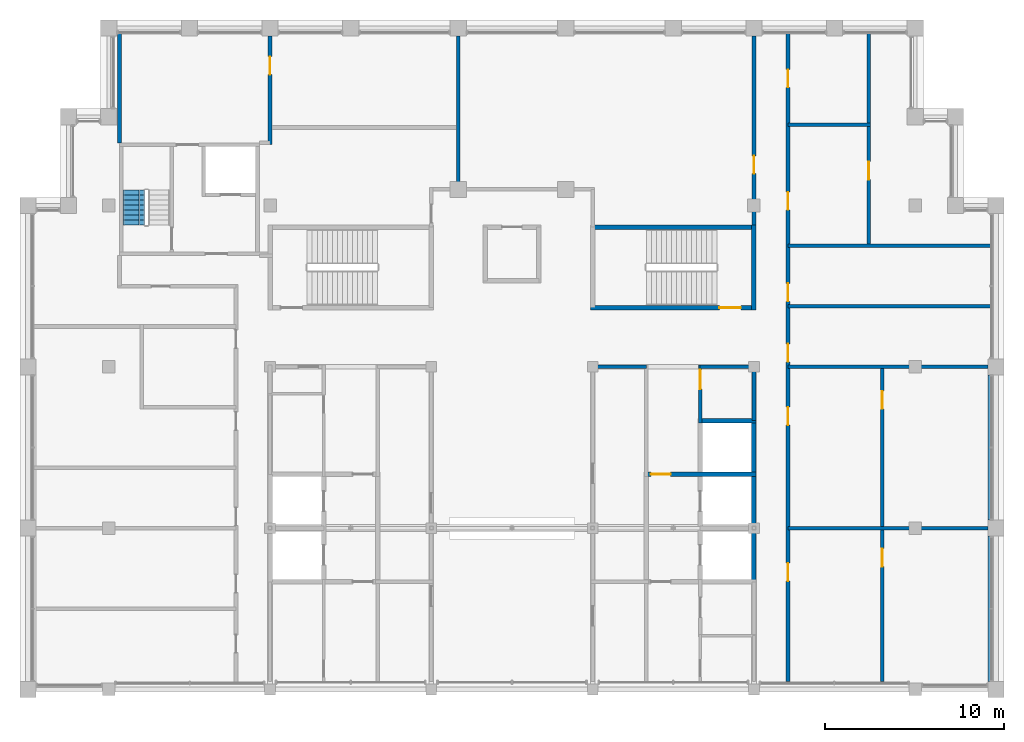
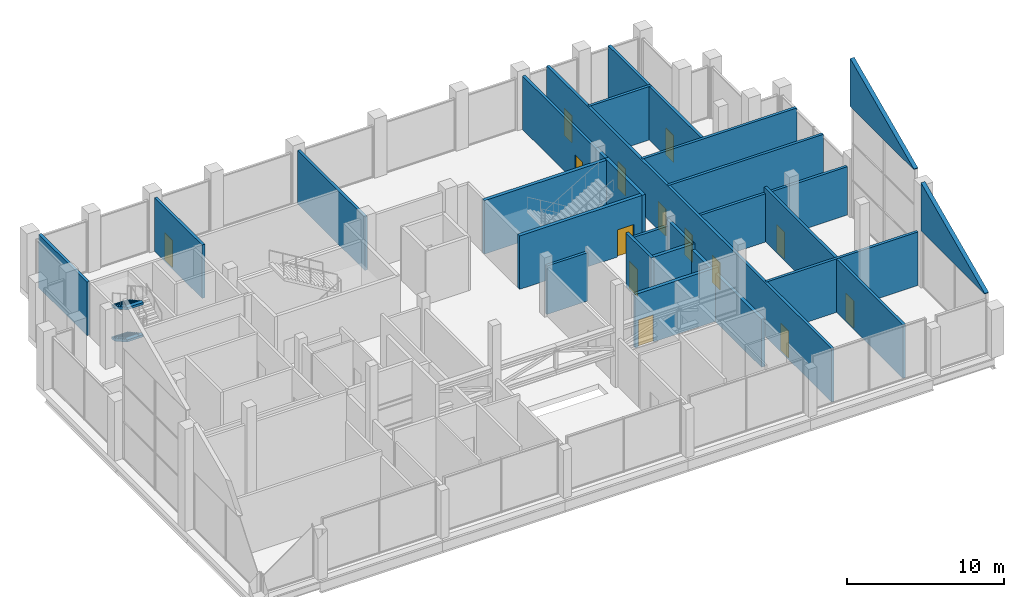
# One storey, part 12 of 14: 24 walls, 14 doors, 2 stair flights, 14 openings, 1 element without a shape of its own.
"""IFC4 building model written with IfcOpenShell, lengths in metres."""

from ifc_helpers import new_model, si_unit, direction, frame, frame_2d, origin, place, context, subcontext, project, spatial, polyline, rectangle, outline, extrude, material, layer, layer_set, type_object, element, fill, aggregate, save


model = new_model("IFC4")

# Units and contexts
model_context = context("Model", 3, precision=1e-05, world=origin(), true_north=direction((0.0, 1.0)))
body_context = subcontext(model_context, "Body", "Model", "MODEL_VIEW")
ifc_project = project(units=[si_unit("LENGTHUNIT", "METRE"), si_unit("AREAUNIT", "SQUARE_METRE"), si_unit("VOLUMEUNIT", "CUBIC_METRE"), si_unit("PLANEANGLEUNIT", "RADIAN"), si_unit("MASSUNIT", "GRAM", prefix="KILO")], contexts=[model_context])

# Site, building, storey
site_placement = place(None, origin())
site = spatial("IfcSite", under=ifc_project, at=site_placement, CompositionType="ELEMENT")
building_placement = place(site_placement, origin())
building = spatial("IfcBuilding", under=site, at=building_placement, Name="Corbelhall Arena Tower", CompositionType="ELEMENT")
storey_placement = place(building_placement, frame((0.0, 0.0, 376.0)))
storey = spatial("IfcBuildingStorey", under=building, at=storey_placement, Name="L81", CompositionType="ELEMENT", Elevation=376.0)

# Walls
ifc_material_1 = material(Name="Precast concrete C40/50 with granite facing", Category="masonry")
ifc_layer_1 = layer(ifc_material_1, 0.300048828125)
ifc_layer_set_1 = layer_set([ifc_layer_1], Name="EV-IW3 Parapet 300")
wall_type_1 = type_object("IfcWallType", Name="EV-IW3 Parapet 300", PredefinedType="SOLIDWALL", material=ifc_layer_set_1)
wall_1_placement = place(storey_placement, frame((26.699951171875, -8.550048828125, 4.439453125), z_axis=(0.0, 0.0, 1.0), x_axis=(0.0, 1.0, 0.0)))
element("IfcWall", 1, at=wall_1_placement, inside=storey, type_object=wall_type_1, Name="Infill panel IW3", PredefinedType="SOLIDWALL", context=body_context, shape_type="SweptSolid", body=[
    extrude(outline(polyline([(0.0, 0.0), (8.10009765625, 0.0), (8.10009765625, 3.7275390625), (0.0, 0.050048828125), (0.0, 0.0)])), frame((0.0, 0.14990234375, 0.0), z_axis=(0.0, -1.0, 0.0), x_axis=(1.0, 0.0, 0.0)), (0.0, 0.0, 1.0), 0.300048828125),
])
wall_2_placement = place(storey_placement, frame((26.699951171875, 0.449951171875, 8.633056640625), z_axis=(0.0, 0.0, 1.0), x_axis=(0.0, 1.0, 0.0)))
element("IfcWall", 2, at=wall_2_placement, inside=storey, type_object=wall_type_1, Name="Infill panel IW3A", PredefinedType="SOLIDWALL", context=body_context, shape_type="SweptSolid", body=[
    extrude(outline(polyline([(0.0, 0.0), (8.10009765625, 0.0), (8.10009765625, 3.7275390625), (0.0, 0.0498046875), (0.0, 0.0)])), frame((0.0, 0.14990234375, 0.0), z_axis=(0.0, -1.0, 0.0), x_axis=(1.0, 0.0, 0.0)), (0.0, 0.0, 1.0), 0.300048828125),
])
ifc_material_2 = material(Name="Gypsum board on steel stud, acoustic", Category="steel")
ifc_layer_2 = layer(ifc_material_2, 0.199951171875)
ifc_layer_set_2 = layer_set([ifc_layer_2], Name="IN-W-DM200")
wall_type_2 = type_object("IfcWallType", Name="IN-W-DM200", PredefinedType="PARTITIONING", material=ifc_layer_set_2)
wall_3_placement = place(storey_placement, frame((-21.89990234375, 21.5, 0.0), z_axis=(0.0, 0.0, 1.0), x_axis=(0.0, 1.0, 0.0)))
element("IfcWall", 3, at=wall_3_placement, inside=storey, type_object=wall_type_2, Name="Partition 005", PredefinedType="PARTITIONING", context=body_context, shape_type="SweptSolid", body=[
    extrude(rectangle(XDim=6.135986328125, YDim=0.199951171875, at=frame_2d((3.06787109375, 0.0))), origin(), (0.0, 0.0, 1.0), 4.149658203125),
])

# Wall, opening, door
wall_4_placement = place(storey_placement, frame((-13.5, 27.449951171875, 0.0), z_axis=(0.0, 0.0, 1.0), x_axis=(0.0, -1.0, 0.0)))
wall_4 = element("IfcWall", 4, at=wall_4_placement, inside=storey, type_object=wall_type_2, Name="Partition 014", PredefinedType="PARTITIONING", context=body_context, shape_type="SweptSolid", body=[
    extrude(rectangle(XDim=6.050048828125, YDim=0.199951171875, at=frame_2d((3.02490234375, 0.0))), origin(), (0.0, 0.0, 1.0), 4.149658203125),
])
opening_1_placement = place(wall_4_placement, frame((1.14990234375, 0.0, 0.0)))
opening_1 = element("IfcOpeningElement", 5, at=opening_1_placement, cuts=wall_4, Name="Opening 35018", PredefinedType="OPENING", context=body_context, shape_type="SweptSolid", body=[
    extrude(rectangle(XDim=1.0, YDim=2.10009765625, at=frame_2d((0.5, 1.050048828125))), frame((0.0, 0.10009765625, 0.0), z_axis=(0.0, -1.0, 0.0), x_axis=(1.0, 0.0, 0.0)), (0.0, 0.0, 1.0), 0.199951171875),
])
ifc_material_3 = material(Name="Steel door set", Category="steel")
door_type_1 = type_object("IfcDoorType", Name="IN-D-SW100", OperationType="NOTDEFINED", PredefinedType="DOOR", material=ifc_material_3)
door_1_placement = place(opening_1_placement, origin())
door_1 = element("IfcDoor", 6, at=door_1_placement, inside=storey, type_object=door_type_1, Name="Door 018", OperationType="SINGLE_SWING_LEFT", OverallHeight=2.10009765625, OverallWidth=1.0, PredefinedType="DOOR", context=body_context, shape_type="SweptSolid", body=[
    extrude(rectangle(XDim=1.0, YDim=2.10009765625, at=frame_2d((0.5, 1.050048828125))), frame((0.0, 0.02490234375, 0.0), z_axis=(0.0, -1.0, 0.0), x_axis=(1.0, 0.0, 0.0)), (0.0, 0.0, 1.0), 0.050048828125),
])
fill(opening_1, door_1)

# Wall
wall_5_placement = place(storey_placement, frame((-3.0, 27.449951171875, 0.0), z_axis=(0.0, 0.0, 1.0), x_axis=(0.0, -1.0, 0.0)))
element("IfcWall", 7, at=wall_5_placement, inside=storey, type_object=wall_type_2, Name="Partition 017", PredefinedType="PARTITIONING", context=body_context, shape_type="SweptSolid", body=[
    extrude(rectangle(XDim=8.550048828125, YDim=0.199951171875, at=frame_2d((4.27490234375, 0.0))), origin(), (0.0, 0.0, 1.0), 4.149658203125),
])

# Wall, opening, door
wall_6_placement = place(storey_placement, frame((13.5, 16.675048828125, 0.0), z_axis=(0.0, 0.0, 1.0), x_axis=(0.0, 1.0, 0.0)))
wall_6 = element("IfcWall", 8, at=wall_6_placement, inside=storey, type_object=wall_type_2, Name="Partition 019", PredefinedType="PARTITIONING", context=body_context, shape_type="SweptSolid", body=[
    extrude(rectangle(XDim=10.77490234375, YDim=0.199951171875, at=frame_2d((5.387451171875, 0.0))), origin(), (0.0, 0.0, 1.0), 4.149658203125),
])
opening_2_placement = place(wall_6_placement, frame((3.10009765625, 0.0, 0.0)))
opening_2 = element("IfcOpeningElement", 9, at=opening_2_placement, cuts=wall_6, Name="Opening 35019", PredefinedType="OPENING", context=body_context, shape_type="SweptSolid", body=[
    extrude(rectangle(XDim=1.0, YDim=2.10009765625, at=frame_2d((0.5, 1.050048828125))), frame((0.0, 0.10009765625, 0.0), z_axis=(0.0, -1.0, 0.0), x_axis=(1.0, 0.0, 0.0)), (0.0, 0.0, 1.0), 0.199951171875),
])
door_2_placement = place(opening_2_placement, origin())
door_2 = element("IfcDoor", 10, at=door_2_placement, inside=storey, type_object=door_type_1, Name="Door 019", OperationType="SINGLE_SWING_RIGHT", OverallHeight=2.10009765625, OverallWidth=1.0, PredefinedType="DOOR", context=body_context, shape_type="SweptSolid", body=[
    extrude(rectangle(XDim=1.0, YDim=2.10009765625, at=frame_2d((0.5, 1.050048828125))), frame((0.0, 0.02490234375, 0.0), z_axis=(0.0, -1.0, 0.0), x_axis=(1.0, 0.0, 0.0)), (0.0, 0.0, 1.0), 0.050048828125),
])
fill(opening_2, door_2)

# Wall, openings, doors
wall_7_placement = place(storey_placement, frame((15.39990234375, 27.635986328125, 0.0), z_axis=(0.0, 0.0, 1.0), x_axis=(0.0, -1.0, 0.0)))
wall_7 = element("IfcWall", 11, at=wall_7_placement, inside=storey, type_object=wall_type_2, Name="Partition 020", PredefinedType="PARTITIONING", context=body_context, shape_type="SweptSolid", body=[
    extrude(rectangle(XDim=36.18603515625, YDim=0.199951171875, at=frame_2d((18.093017578125, 0.0))), origin(), (0.0, 0.0, 1.0), 4.149658203125),
])
opening_3_placement = place(wall_7_placement, frame((20.885986328125, 0.0, 0.0)))
opening_3 = element("IfcOpeningElement", 12, at=opening_3_placement, cuts=wall_7, Name="Opening 35026", PredefinedType="OPENING", context=body_context, shape_type="SweptSolid", body=[
    extrude(rectangle(XDim=1.0, YDim=2.10009765625, at=frame_2d((0.5, 1.050048828125))), frame((0.0, 0.10009765625, 0.0), z_axis=(0.0, -1.0, 0.0), x_axis=(1.0, 0.0, 0.0)), (0.0, 0.0, 1.0), 0.199951171875),
])
opening_4_placement = place(wall_7_placement, frame((17.361083984375, 0.0, 0.0)))
opening_4 = element("IfcOpeningElement", 13, at=opening_4_placement, cuts=wall_7, Name="Opening 35028", PredefinedType="OPENING", context=body_context, shape_type="SweptSolid", body=[
    extrude(rectangle(XDim=1.0, YDim=2.10009765625, at=frame_2d((0.5, 1.050048828125))), frame((0.0, 0.10009765625, 0.0), z_axis=(0.0, -1.0, 0.0), x_axis=(1.0, 0.0, 0.0)), (0.0, 0.0, 1.0), 0.199951171875),
])
opening_5_placement = place(wall_7_placement, frame((13.986083984375, 0.0, 0.0)))
opening_5 = element("IfcOpeningElement", 14, at=opening_5_placement, cuts=wall_7, Name="Opening 35029", PredefinedType="OPENING", context=body_context, shape_type="SweptSolid", body=[
    extrude(rectangle(XDim=1.0, YDim=2.10009765625, at=frame_2d((0.5, 1.050048828125))), frame((0.0, 0.10009765625, 0.0), z_axis=(0.0, -1.0, 0.0), x_axis=(1.0, 0.0, 0.0)), (0.0, 0.0, 1.0), 0.199951171875),
])
opening_6_placement = place(wall_7_placement, frame((8.885986328125, 0.0, 0.0)))
opening_6 = element("IfcOpeningElement", 15, at=opening_6_placement, cuts=wall_7, Name="Opening 35030", PredefinedType="OPENING", context=body_context, shape_type="SweptSolid", body=[
    extrude(rectangle(XDim=1.0, YDim=2.10009765625, at=frame_2d((0.5, 1.050048828125))), frame((0.0, 0.10009765625, 0.0), z_axis=(0.0, -1.0, 0.0), x_axis=(1.0, 0.0, 0.0)), (0.0, 0.0, 1.0), 0.199951171875),
])
opening_7_placement = place(wall_7_placement, frame((2.050048828125, 0.0, 0.0)))
opening_7 = element("IfcOpeningElement", 16, at=opening_7_placement, cuts=wall_7, Name="Opening 35031", PredefinedType="OPENING", context=body_context, shape_type="SweptSolid", body=[
    extrude(rectangle(XDim=1.0, YDim=2.10009765625, at=frame_2d((0.5, 1.050048828125))), frame((0.0, 0.10009765625, 0.0), z_axis=(0.0, -1.0, 0.0), x_axis=(1.0, 0.0, 0.0)), (0.0, 0.0, 1.0), 0.199951171875),
])
opening_8_placement = place(wall_7_placement, frame((29.5859375, 0.0, 0.0)))
opening_8 = element("IfcOpeningElement", 17, at=opening_8_placement, cuts=wall_7, Name="Opening 35033", PredefinedType="OPENING", context=body_context, shape_type="SweptSolid", body=[
    extrude(rectangle(XDim=1.0, YDim=2.10009765625, at=frame_2d((0.5, 1.050048828125))), frame((0.0, 0.10009765625, 0.0), z_axis=(0.0, -1.0, 0.0), x_axis=(1.0, 0.0, 0.0)), (0.0, 0.0, 1.0), 0.199951171875),
])
door_3_placement = place(opening_3_placement, origin())
door_3 = element("IfcDoor", 18, at=door_3_placement, inside=storey, type_object=door_type_1, Name="Door 026", OperationType="SINGLE_SWING_LEFT", OverallHeight=2.10009765625, OverallWidth=1.0, PredefinedType="DOOR", context=body_context, shape_type="SweptSolid", body=[
    extrude(rectangle(XDim=1.0, YDim=2.10009765625, at=frame_2d((0.5, 1.050048828125))), frame((0.0, 0.02490234375, 0.0), z_axis=(0.0, -1.0, 0.0), x_axis=(1.0, 0.0, 0.0)), (0.0, 0.0, 1.0), 0.050048828125),
])
fill(opening_3, door_3)
door_4_placement = place(opening_4_placement, origin())
door_4 = element("IfcDoor", 19, at=door_4_placement, inside=storey, type_object=door_type_1, Name="Door 028", OperationType="SINGLE_SWING_LEFT", OverallHeight=2.10009765625, OverallWidth=1.0, PredefinedType="DOOR", context=body_context, shape_type="SweptSolid", body=[
    extrude(rectangle(XDim=1.0, YDim=2.10009765625, at=frame_2d((0.5, 1.050048828125))), frame((0.0, 0.02490234375, 0.0), z_axis=(0.0, -1.0, 0.0), x_axis=(1.0, 0.0, 0.0)), (0.0, 0.0, 1.0), 0.050048828125),
])
fill(opening_4, door_4)
door_5_placement = place(opening_5_placement, origin())
door_5 = element("IfcDoor", 20, at=door_5_placement, inside=storey, type_object=door_type_1, Name="Door 029", OperationType="SINGLE_SWING_RIGHT", OverallHeight=2.10009765625, OverallWidth=1.0, PredefinedType="DOOR", context=body_context, shape_type="SweptSolid", body=[
    extrude(rectangle(XDim=1.0, YDim=2.10009765625, at=frame_2d((0.5, 1.050048828125))), frame((0.0, 0.02490234375, 0.0), z_axis=(0.0, -1.0, 0.0), x_axis=(1.0, 0.0, 0.0)), (0.0, 0.0, 1.0), 0.050048828125),
])
fill(opening_5, door_5)
door_6_placement = place(opening_6_placement, origin())
door_6 = element("IfcDoor", 21, at=door_6_placement, inside=storey, type_object=door_type_1, Name="Door 030", OperationType="SINGLE_SWING_LEFT", OverallHeight=2.10009765625, OverallWidth=1.0, PredefinedType="DOOR", context=body_context, shape_type="SweptSolid", body=[
    extrude(rectangle(XDim=1.0, YDim=2.10009765625, at=frame_2d((0.5, 1.050048828125))), frame((0.0, 0.02490234375, 0.0), z_axis=(0.0, -1.0, 0.0), x_axis=(1.0, 0.0, 0.0)), (0.0, 0.0, 1.0), 0.050048828125),
])
fill(opening_6, door_6)
door_7_placement = place(opening_7_placement, origin())
door_7 = element("IfcDoor", 22, at=door_7_placement, inside=storey, type_object=door_type_1, Name="Door 031", OperationType="SINGLE_SWING_RIGHT", OverallHeight=2.10009765625, OverallWidth=1.0, PredefinedType="DOOR", context=body_context, shape_type="SweptSolid", body=[
    extrude(rectangle(XDim=1.0, YDim=2.10009765625, at=frame_2d((0.5, 1.050048828125))), frame((0.0, 0.02490234375, 0.0), z_axis=(0.0, -1.0, 0.0), x_axis=(1.0, 0.0, 0.0)), (0.0, 0.0, 1.0), 0.050048828125),
])
fill(opening_7, door_7)
door_8_placement = place(opening_8_placement, origin())
door_8 = element("IfcDoor", 23, at=door_8_placement, inside=storey, type_object=door_type_1, Name="Door 033", OperationType="SINGLE_SWING_RIGHT", OverallHeight=2.10009765625, OverallWidth=1.0, PredefinedType="DOOR", context=body_context, shape_type="SweptSolid", body=[
    extrude(rectangle(XDim=1.0, YDim=2.10009765625, at=frame_2d((0.5, 1.050048828125))), frame((0.0, 0.02490234375, 0.0), z_axis=(0.0, -1.0, 0.0), x_axis=(1.0, 0.0, 0.0)), (0.0, 0.0, 1.0), 0.050048828125),
])
fill(opening_8, door_8)

# Walls
for number, where, z_axis, x_axis, name in (
    (24, (15.39990234375, 12.375, 0.0), (0.0, 0.0, 1.0), (1.0, 0.0, 0.0), "Partition 022"),
    (25, (15.39990234375, 15.75, 0.0), (0.0, 0.0, 1.0), (1.0, 0.0, 0.0), "Partition 023"),
):
    element("IfcWall", number, at=place(storey_placement, frame(where, z_axis=z_axis, x_axis=x_axis)), inside=storey, type_object=wall_type_2, Name=name, PredefinedType="PARTITIONING", context=body_context, shape_type="SweptSolid", body=[
        extrude(rectangle(XDim=11.336181640625, YDim=0.199951171875, at=frame_2d((5.66796875, 0.0))), origin(), (0.0, 0.0, 1.0), 4.149658203125),
    ])
wall_8_placement = place(storey_placement, frame((15.39990234375, 22.5, 0.0), z_axis=(0.0, 0.0, 1.0), x_axis=(1.0, 0.0, 0.0)))
element("IfcWall", 26, at=wall_8_placement, inside=storey, type_object=wall_type_2, Name="Partition 024", PredefinedType="PARTITIONING", context=body_context, shape_type="SweptSolid", body=[
    extrude(rectangle(XDim=4.60009765625, YDim=0.199951171875, at=frame_2d((2.300048828125, 0.0))), origin(), (0.0, 0.0, 1.0), 4.149658203125),
])

# Wall, opening, door
wall_9_placement = place(storey_placement, frame((19.89990234375, 27.635986328125, 0.0), z_axis=(0.0, 0.0, 1.0), x_axis=(0.0, -1.0, 0.0)))
wall_9 = element("IfcWall", 27, at=wall_9_placement, inside=storey, type_object=wall_type_2, Name="Partition 025", PredefinedType="PARTITIONING", context=body_context, shape_type="SweptSolid", body=[
    extrude(rectangle(XDim=11.885986328125, YDim=0.199951171875, at=frame_2d((5.94287109375, 0.0))), origin(), (0.0, 0.0, 1.0), 4.149658203125),
])
opening_9_placement = place(wall_9_placement, frame((7.18603515625, 0.0, 0.0)))
opening_9 = element("IfcOpeningElement", 28, at=opening_9_placement, cuts=wall_9, Name="Opening 35032", PredefinedType="OPENING", context=body_context, shape_type="SweptSolid", body=[
    extrude(rectangle(XDim=1.0, YDim=2.10009765625, at=frame_2d((0.5, 1.050048828125))), frame((0.0, 0.10009765625, 0.0), z_axis=(0.0, -1.0, 0.0), x_axis=(1.0, 0.0, 0.0)), (0.0, 0.0, 1.0), 0.199951171875),
])
door_9_placement = place(opening_9_placement, origin())
door_9 = element("IfcDoor", 29, at=door_9_placement, inside=storey, type_object=door_type_1, Name="Door 032", OperationType="SINGLE_SWING_LEFT", OverallHeight=2.10009765625, OverallWidth=1.0, PredefinedType="DOOR", context=body_context, shape_type="SweptSolid", body=[
    extrude(rectangle(XDim=1.0, YDim=2.10009765625, at=frame_2d((0.5, 1.050048828125))), frame((0.0, 0.02490234375, 0.0), z_axis=(0.0, -1.0, 0.0), x_axis=(1.0, 0.0, 0.0)), (0.0, 0.0, 1.0), 0.050048828125),
])
fill(opening_9, door_9)

# Wall, openings, doors
wall_10_placement = place(storey_placement, frame((20.64990234375, 9.10009765625, 0.0), z_axis=(0.0, 0.0, 1.0), x_axis=(0.0, -1.0, 0.0)))
wall_10 = element("IfcWall", 30, at=wall_10_placement, inside=storey, type_object=wall_type_2, Name="Partition 026", PredefinedType="PARTITIONING", context=body_context, shape_type="SweptSolid", body=[
    extrude(rectangle(XDim=17.650146484375, YDim=0.199951171875, at=frame_2d((8.8251953125, 0.0))), origin(), (0.0, 0.0, 1.0), 4.149658203125),
])
opening_10_placement = place(wall_10_placement, frame((1.449951171875, 0.0, 0.0)))
opening_10 = element("IfcOpeningElement", 31, at=opening_10_placement, cuts=wall_10, Name="Opening 35027", PredefinedType="OPENING", context=body_context, shape_type="SweptSolid", body=[
    extrude(rectangle(XDim=1.0, YDim=2.10009765625, at=frame_2d((0.5, 1.050048828125))), frame((0.0, 0.10009765625, 0.0), z_axis=(0.0, -1.0, 0.0), x_axis=(1.0, 0.0, 0.0)), (0.0, 0.0, 1.0), 0.199951171875),
])
opening_11_placement = place(wall_10_placement, frame((10.25, 0.0, 0.0)))
opening_11 = element("IfcOpeningElement", 32, at=opening_11_placement, cuts=wall_10, Name="Opening 35034", PredefinedType="OPENING", context=body_context, shape_type="SweptSolid", body=[
    extrude(rectangle(XDim=1.0, YDim=2.10009765625, at=frame_2d((0.5, 1.050048828125))), frame((0.0, 0.10009765625, 0.0), z_axis=(0.0, -1.0, 0.0), x_axis=(1.0, 0.0, 0.0)), (0.0, 0.0, 1.0), 0.199951171875),
])
door_10_placement = place(opening_10_placement, origin())
door_10 = element("IfcDoor", 33, at=door_10_placement, inside=storey, type_object=door_type_1, Name="Door 027", OperationType="SINGLE_SWING_RIGHT", OverallHeight=2.10009765625, OverallWidth=1.0, PredefinedType="DOOR", context=body_context, shape_type="SweptSolid", body=[
    extrude(rectangle(XDim=1.0, YDim=2.10009765625, at=frame_2d((0.5, 1.050048828125))), frame((0.0, 0.02490234375, 0.0), z_axis=(0.0, -1.0, 0.0), x_axis=(1.0, 0.0, 0.0)), (0.0, 0.0, 1.0), 0.050048828125),
])
fill(opening_10, door_10)
door_11_placement = place(opening_11_placement, origin())
door_11 = element("IfcDoor", 34, at=door_11_placement, inside=storey, type_object=door_type_1, Name="Door 034", OperationType="SINGLE_SWING_LEFT", OverallHeight=2.10009765625, OverallWidth=1.0, PredefinedType="DOOR", context=body_context, shape_type="SweptSolid", body=[
    extrude(rectangle(XDim=1.0, YDim=2.10009765625, at=frame_2d((0.5, 1.050048828125))), frame((0.0, 0.02490234375, 0.0), z_axis=(0.0, -1.0, 0.0), x_axis=(1.0, 0.0, 0.0)), (0.0, 0.0, 1.0), 0.050048828125),
])
fill(opening_11, door_11)

# Walls
wall_11_placement = place(storey_placement, frame((26.550048828125, 0.0, 0.0), z_axis=(0.0, 0.0, 1.0), x_axis=(-1.0, 0.0, 0.0)))
element("IfcWall", 35, at=wall_11_placement, inside=storey, type_object=wall_type_2, Name="Partition 027", PredefinedType="PARTITIONING", context=body_context, shape_type="SweptSolid", body=[
    extrude(rectangle(XDim=11.150146484375, YDim=0.199951171875, at=frame_2d((5.5751953125, 0.0))), origin(), (0.0, 0.0, 1.0), 4.149658203125),
])
ifc_layer_3 = layer(ifc_material_2, 0.199951171875)
ifc_layer_set_3 = layer_set([ifc_layer_3], Name="IN-W-DM200 under beam 396 mm")
wall_type_3 = type_object("IfcWallType", Name="IN-W-DM200 under beam 396 mm", PredefinedType="PARTITIONING", material=ifc_layer_set_3)
wall_12_placement = place(storey_placement, frame((15.39990234375, 9.0, 0.0), z_axis=(0.0, 0.0, 1.0), x_axis=(1.0, 0.0, 0.0)))
element("IfcWall", 36, at=wall_12_placement, inside=storey, type_object=wall_type_3, Name="Partition 021", PredefinedType="PARTITIONING", context=body_context, shape_type="SweptSolid", body=[
    extrude(rectangle(XDim=11.150146484375, YDim=0.199951171875, at=frame_2d((5.5751953125, 0.0))), origin(), (0.0, 0.0, 1.0), 3.75390625),
])

# Wall, opening, door
ifc_material_4 = material(Name="Concrete block wall", Category="concrete")
ifc_layer_4 = layer(ifc_material_4, 0.199951171875)
ifc_layer_set_4 = layer_set([ifc_layer_4], Name="IN-W-RS200")
wall_type_4 = type_object("IfcWallType", Name="IN-W-RS200", PredefinedType="SOLIDWALL", material=ifc_layer_set_4)
wall_13_placement = place(storey_placement, frame((10.5, 9.10009765625, 0.0), z_axis=(0.0, 0.0, 1.0), x_axis=(0.0, -1.0, 0.0)))
wall_13 = element("IfcWall", 37, at=wall_13_placement, inside=storey, type_object=wall_type_4, Name="Partition 043", PredefinedType="SOLIDWALL", context=body_context, shape_type="SweptSolid", body=[
    extrude(rectangle(XDim=3.22509765625, YDim=0.199951171875, at=frame_2d((1.612548828125, 0.0))), origin(), (0.0, 0.0, 1.0), 4.149658203125),
])
opening_12_placement = place(wall_13_placement, frame((0.25, 0.0, 0.0)))
opening_12 = element("IfcOpeningElement", 38, at=opening_12_placement, cuts=wall_13, Name="Opening 35014", PredefinedType="OPENING", context=body_context, shape_type="SweptSolid", body=[
    extrude(rectangle(XDim=1.10009765625, YDim=2.10009765625, at=frame_2d((0.550048828125, 1.050048828125))), frame((0.0, 0.10009765625, 0.0), z_axis=(0.0, -1.0, 0.0), x_axis=(1.0, 0.0, 0.0)), (0.0, 0.0, 1.0), 0.199951171875),
])
door_type_2 = type_object("IfcDoorType", Name="IN-D-FD110", OperationType="NOTDEFINED", PredefinedType="DOOR", material=ifc_material_3)
door_12_placement = place(opening_12_placement, origin())
door_12 = element("IfcDoor", 39, at=door_12_placement, inside=storey, type_object=door_type_2, Name="Door 014", OperationType="SINGLE_SWING_LEFT", OverallHeight=2.10009765625, OverallWidth=1.10009765625, PredefinedType="DOOR", context=body_context, shape_type="SweptSolid", body=[
    extrude(rectangle(XDim=1.10009765625, YDim=2.10009765625, at=frame_2d((0.550048828125, 1.050048828125))), frame((0.0, 0.02490234375, 0.0), z_axis=(0.0, -1.0, 0.0), x_axis=(1.0, 0.0, 0.0)), (0.0, 0.0, 1.0), 0.050048828125),
])
fill(opening_12, door_12)

# Walls
wall_14_placement = place(storey_placement, frame((13.5, 9.10009765625, 0.0), z_axis=(0.0, 0.0, 1.0), x_axis=(0.0, -1.0, 0.0)))
element("IfcWall", 40, at=wall_14_placement, inside=storey, type_object=wall_type_4, Name="Partition 045", PredefinedType="SOLIDWALL", context=body_context, shape_type="SweptSolid", body=[
    extrude(rectangle(XDim=3.10009765625, YDim=0.199951171875, at=frame_2d((1.550048828125, 0.0))), origin(), (0.0, 0.0, 1.0), 4.149658203125),
])
ifc_layer_5 = layer(ifc_material_4, 0.199951171875)
ifc_layer_set_5 = layer_set([ifc_layer_5], Name="IN-W-RS200 under beam 396 mm")
wall_type_5 = type_object("IfcWallType", Name="IN-W-RS200 under beam 396 mm", PredefinedType="SOLIDWALL", material=ifc_layer_set_5)
for number, where, z_axis, x_axis, name in (
    (41, (4.5, 9.0, 0.0), (0.0, 0.0, 1.0), (1.0, 0.0, 0.0), "Partition 038"),
    (42, (10.5, 9.0, 0.0), (0.0, 0.0, 1.0), (1.0, 0.0, 0.0), "Partition 042"),
):
    element("IfcWall", number, at=place(storey_placement, frame(where, z_axis=z_axis, x_axis=x_axis)), inside=storey, type_object=wall_type_5, Name=name, PredefinedType="SOLIDWALL", context=body_context, shape_type="SweptSolid", body=[
        extrude(rectangle(XDim=3.0, YDim=0.199951171875, at=frame_2d((1.5, 0.0))), origin(), (0.0, 0.0, 1.0), 3.75390625),
    ])

# Wall, opening, door
ifc_material_5 = material(Name="Concrete C40/50", Category="concrete")
ifc_layer_6 = layer(ifc_material_5, 0.25)
ifc_layer_set_6 = layer_set([ifc_layer_6], Name="IN-W-SH250")
wall_type_6 = type_object("IfcWallType", Name="IN-W-SH250", PredefinedType="SOLIDWALL", material=ifc_layer_set_6)
wall_15_placement = place(storey_placement, frame((7.5, 3.0, 0.0), z_axis=(0.0, 0.0, 1.0), x_axis=(1.0, 0.0, 0.0)))
wall_15 = element("IfcWall", 43, at=wall_15_placement, inside=storey, type_object=wall_type_6, Name="Shaft wall 057", PredefinedType="SOLIDWALL", context=body_context, shape_type="SweptSolid", body=[
    extrude(rectangle(XDim=6.125, YDim=0.25, at=frame_2d((3.0625, 0.0))), origin(), (0.0, 0.0, 1.0), 4.149658203125),
])
opening_13_placement = place(wall_15_placement, frame((0.25, 0.0, 0.0)))
opening_13 = element("IfcOpeningElement", 44, at=opening_13_placement, cuts=wall_15, Name="Opening 35011", PredefinedType="OPENING", context=body_context, shape_type="SweptSolid", body=[
    extrude(rectangle(XDim=1.10009765625, YDim=2.10009765625, at=frame_2d((0.550048828125, 1.050048828125))), frame((0.0, 0.125, 0.0), z_axis=(0.0, -1.0, 0.0), x_axis=(1.0, 0.0, 0.0)), (0.0, 0.0, 1.0), 0.25),
])
door_13_placement = place(opening_13_placement, origin())
door_13 = element("IfcDoor", 45, at=door_13_placement, inside=storey, type_object=door_type_2, Name="Door 011", OperationType="SINGLE_SWING_RIGHT", OverallHeight=2.10009765625, OverallWidth=1.10009765625, PredefinedType="DOOR", context=body_context, shape_type="SweptSolid", body=[
    extrude(rectangle(XDim=1.10009765625, YDim=2.10009765625, at=frame_2d((0.550048828125, 1.050048828125))), frame((0.0, 0.02490234375, 0.0), z_axis=(0.0, -1.0, 0.0), x_axis=(1.0, 0.0, 0.0)), (0.0, 0.0, 1.0), 0.050048828125),
])
fill(opening_13, door_13)

# Walls
wall_16_placement = place(storey_placement, frame((10.5, 6.0, 0.0), z_axis=(0.0, 0.0, 1.0), x_axis=(1.0, 0.0, 0.0)))
element("IfcWall", 46, at=wall_16_placement, inside=storey, type_object=wall_type_6, Name="Shaft wall 061", PredefinedType="SOLIDWALL", context=body_context, shape_type="SweptSolid", body=[
    extrude(rectangle(XDim=3.125, YDim=0.25, at=frame_2d((1.5625, 0.0))), origin(), (0.0, 0.0, 1.0), 4.149658203125),
])
ifc_layer_7 = layer(ifc_material_5, 0.25)
ifc_layer_set_7 = layer_set([ifc_layer_7], Name="IN-W-SH250 under beam 427 mm")
wall_type_7 = type_object("IfcWallType", Name="IN-W-SH250 under beam 427 mm", PredefinedType="SOLIDWALL", material=ifc_layer_set_7)
wall_17_placement = place(storey_placement, frame((13.5, 6.0, 0.0), z_axis=(0.0, 0.0, 1.0), x_axis=(0.0, -1.0, 0.0)))
element("IfcWall", 47, at=wall_17_placement, inside=storey, type_object=wall_type_7, Name="Shaft wall 062", PredefinedType="SOLIDWALL", context=body_context, shape_type="SweptSolid", body=[
    extrude(rectangle(XDim=9.0, YDim=0.25, at=frame_2d((4.5, 0.0))), origin(), (0.0, 0.0, 1.0), 3.722412109375),
])

# Wall, opening, door
ifc_layer_8 = layer(ifc_material_5, 0.25)
ifc_layer_set_8 = layer_set([ifc_layer_8], Name="IN-W-ST250")
wall_type_8 = type_object("IfcWallType", Name="IN-W-ST250", PredefinedType="SOLIDWALL", material=ifc_layer_set_8)
wall_18_placement = place(storey_placement, frame((4.375, 12.300048828125, 0.0), z_axis=(0.0, 0.0, 1.0), x_axis=(1.0, 0.0, 0.0)))
wall_18 = element("IfcWall", 48, at=wall_18_placement, inside=storey, type_object=wall_type_8, Name="Shaft wall 067", PredefinedType="SOLIDWALL", context=body_context, shape_type="SweptSolid", body=[
    extrude(rectangle(XDim=9.125, YDim=0.25, at=frame_2d((4.5625, 0.0))), origin(), (0.0, 0.0, 1.0), 4.149658203125),
])
opening_14_placement = place(wall_18_placement, frame((7.199951171875, 0.0, 0.0)))
opening_14 = element("IfcOpeningElement", 49, at=opening_14_placement, cuts=wall_18, Name="Opening 35016", PredefinedType="OPENING", context=body_context, shape_type="SweptSolid", body=[
    extrude(rectangle(XDim=1.199951171875, YDim=2.10009765625, at=frame_2d((0.60009765625, 1.050048828125))), frame((0.0, 0.125, 0.0), z_axis=(0.0, -1.0, 0.0), x_axis=(1.0, 0.0, 0.0)), (0.0, 0.0, 1.0), 0.25),
])
door_type_3 = type_object("IfcDoorType", Name="IN-D-ST120", OperationType="NOTDEFINED", PredefinedType="DOOR", material=ifc_material_3)
door_14_placement = place(opening_14_placement, origin())
door_14 = element("IfcDoor", 50, at=door_14_placement, inside=storey, type_object=door_type_3, Name="Door 016", OperationType="SINGLE_SWING_LEFT", OverallHeight=2.10009765625, OverallWidth=1.199951171875, PredefinedType="DOOR", context=body_context, shape_type="SweptSolid", body=[
    extrude(rectangle(XDim=1.199951171875, YDim=2.10009765625, at=frame_2d((0.60009765625, 1.050048828125))), frame((0.0, 0.02490234375, 0.0), z_axis=(0.0, -1.0, 0.0), x_axis=(1.0, 0.0, 0.0)), (0.0, 0.0, 1.0), 0.050048828125),
])
fill(opening_14, door_14)

# Walls
wall_19_placement = place(storey_placement, frame((4.39990234375, 16.800048828125, 0.0), z_axis=(0.0, 0.0, 1.0), x_axis=(1.0, 0.0, 0.0)))
element("IfcWall", 51, at=wall_19_placement, inside=storey, type_object=wall_type_8, Name="Shaft wall 068", PredefinedType="SOLIDWALL", context=body_context, shape_type="SweptSolid", body=[
    extrude(rectangle(XDim=9.10009765625, YDim=0.25, at=frame_2d((4.550048828125, 0.0))), origin(), (0.0, 0.0, 1.0), 4.149658203125),
])
wall_20_placement = place(storey_placement, frame((13.5, 12.175048828125, 0.0), z_axis=(0.0, 0.0, 1.0), x_axis=(0.0, 1.0, 0.0)))
element("IfcWall", 52, at=wall_20_placement, inside=storey, type_object=wall_type_8, Name="Shaft wall 070", PredefinedType="SOLIDWALL", context=body_context, shape_type="SweptSolid", body=[
    extrude(rectangle(XDim=4.75, YDim=0.25, at=frame_2d((2.375, 0.0))), origin(), (0.0, 0.0, 1.0), 4.149658203125),
])

# Stair, stair flights
stair_type = type_object("IfcStairType", Name="IN-ST-TOWER", PredefinedType="HALF_TURN_STAIR", material=ifc_material_5)
stair_placement = place(storey_placement, origin())
stair = element("IfcStair", 53, at=stair_placement, inside=storey, type_object=stair_type, Name="L81 Exit stair ST5", PredefinedType="HALF_TURN_STAIR")
stair_flight_type = type_object("IfcStairFlightType", Name="IN-SFL-RC", PredefinedType="STRAIGHT", material=ifc_material_5)
stair_flight_1_placement = place(storey_placement, frame((-21.094970703125, 18.860107421875, 1.25), z_axis=(0.0, 0.0, 1.0), x_axis=(0.0, -1.0, 0.0)))
stair_flight_1 = element("IfcStairFlight", 54, at=stair_flight_1_placement, type_object=stair_flight_type, Name="ST5 flight 2", NumberOfRisers=8, NumberOfTreads=7, PredefinedType="STRAIGHT", RiserHeight=0.15625, TreadLength=0.28, context=body_context, shape_type="SweptSolid", body=[
    extrude(outline(polyline([(0.0, 0.0), (0.0, 0.15625), (0.280029296875, 0.15625), (0.280029296875, 0.3125), (0.56005859375, 0.3125), (0.56005859375, 0.46875), (0.840087890625, 0.46875), (0.840087890625, 0.625), (1.1201171875, 0.625), (1.1201171875, 0.78125), (1.39990234375, 0.78125), (1.39990234375, 0.9375), (1.679931640625, 0.9375), (1.679931640625, 1.09375), (1.9599609375, 1.09375), (1.9599609375, 1.25), (1.9599609375, 0.922119140625), (0.3076171875, 0.0), (0.0, 0.0)])), frame((0.0, 0.60009765625, 0.0), z_axis=(0.0, -1.0, 0.0), x_axis=(1.0, 0.0, 0.0)), (0.0, 0.0, 1.0), 0.300048828125),
    extrude(outline(polyline([(0.0, 0.0), (0.0, 0.15625), (0.280029296875, 0.15625), (0.280029296875, 0.3125), (0.56005859375, 0.3125), (0.56005859375, 0.46875), (0.840087890625, 0.46875), (0.840087890625, 0.625), (1.1201171875, 0.625), (1.1201171875, 0.78125), (1.39990234375, 0.78125), (1.39990234375, 0.9375), (1.679931640625, 0.9375), (1.679931640625, 1.09375), (1.9599609375, 1.09375), (1.9599609375, 1.25), (1.9599609375, 0.922119140625), (0.3076171875, 0.0), (0.0, 0.0)])), frame((0.0, 0.2958984375, 0.0), z_axis=(0.0, -1.0, 0.0), x_axis=(1.0, 0.0, 0.0)), (0.0, 0.0, 1.0), 0.592041015625),
    extrude(outline(polyline([(0.0, 0.0), (0.0, 0.15625), (0.280029296875, 0.15625), (0.280029296875, 0.3125), (0.56005859375, 0.3125), (0.56005859375, 0.46875), (0.840087890625, 0.46875), (0.840087890625, 0.625), (1.1201171875, 0.625), (1.1201171875, 0.78125), (1.39990234375, 0.78125), (1.39990234375, 0.9375), (1.679931640625, 0.9375), (1.679931640625, 1.09375), (1.9599609375, 1.09375), (1.9599609375, 1.25), (1.9599609375, 0.922119140625), (0.3076171875, 0.0), (0.0, 0.0)])), frame((0.0, -0.300048828125, 0.0), z_axis=(0.0, -1.0, 0.0), x_axis=(1.0, 0.0, 0.0)), (0.0, 0.0, 1.0), 0.300048828125),
])
stair_flight_2_placement = place(storey_placement, frame((-21.094970703125, 18.860107421875, 3.75), z_axis=(0.0, 0.0, 1.0), x_axis=(0.0, -1.0, 0.0)))
stair_flight_2 = element("IfcStairFlight", 55, at=stair_flight_2_placement, type_object=stair_flight_type, Name="ST5 flight 4", NumberOfRisers=8, NumberOfTreads=7, PredefinedType="STRAIGHT", RiserHeight=0.15625, TreadLength=0.28, context=body_context, shape_type="SweptSolid", body=[
    extrude(outline(polyline([(0.0, 0.0), (0.0, 0.15625), (0.280029296875, 0.15625), (0.280029296875, 0.3125), (0.56005859375, 0.3125), (0.56005859375, 0.46875), (0.840087890625, 0.46875), (0.840087890625, 0.625), (1.1201171875, 0.625), (1.1201171875, 0.78125), (1.39990234375, 0.78125), (1.39990234375, 0.9375), (1.679931640625, 0.9375), (1.679931640625, 1.09375), (1.9599609375, 1.09375), (1.9599609375, 1.25), (1.9599609375, 0.922119140625), (0.3076171875, 0.0), (0.0, 0.0)])), frame((0.0, 0.60009765625, 0.0), z_axis=(0.0, -1.0, 0.0), x_axis=(1.0, 0.0, 0.0)), (0.0, 0.0, 1.0), 0.300048828125),
    extrude(outline(polyline([(0.0, 0.0), (0.0, 0.15625), (0.280029296875, 0.15625), (0.280029296875, 0.3125), (0.56005859375, 0.3125), (0.56005859375, 0.46875), (0.840087890625, 0.46875), (0.840087890625, 0.625), (1.1201171875, 0.625), (1.1201171875, 0.78125), (1.39990234375, 0.78125), (1.39990234375, 0.9375), (1.679931640625, 0.9375), (1.679931640625, 1.09375), (1.9599609375, 1.09375), (1.9599609375, 1.25), (1.9599609375, 0.922119140625), (0.3076171875, 0.0), (0.0, 0.0)])), frame((0.0, 0.2958984375, 0.0), z_axis=(0.0, -1.0, 0.0), x_axis=(1.0, 0.0, 0.0)), (0.0, 0.0, 1.0), 0.592041015625),
    extrude(outline(polyline([(0.0, 0.0), (0.0, 0.15625), (0.280029296875, 0.15625), (0.280029296875, 0.3125), (0.56005859375, 0.3125), (0.56005859375, 0.46875), (0.840087890625, 0.46875), (0.840087890625, 0.625), (1.1201171875, 0.625), (1.1201171875, 0.78125), (1.39990234375, 0.78125), (1.39990234375, 0.9375), (1.679931640625, 0.9375), (1.679931640625, 1.09375), (1.9599609375, 1.09375), (1.9599609375, 1.25), (1.9599609375, 0.922119140625), (0.3076171875, 0.0), (0.0, 0.0)])), frame((0.0, -0.300048828125, 0.0), z_axis=(0.0, -1.0, 0.0), x_axis=(1.0, 0.0, 0.0)), (0.0, 0.0, 1.0), 0.300048828125),
])
aggregate(stair, [stair_flight_1, stair_flight_2])

save(model, "model.ifc")
